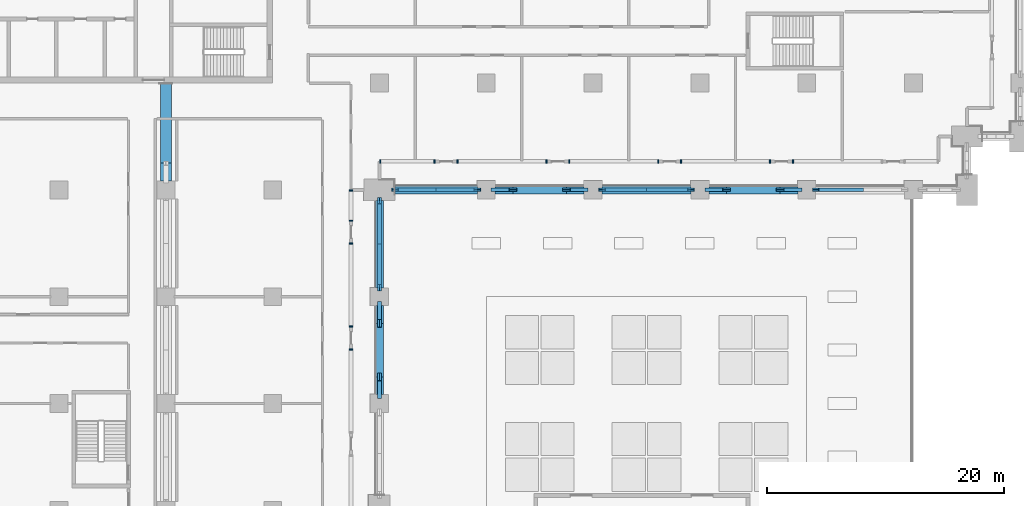
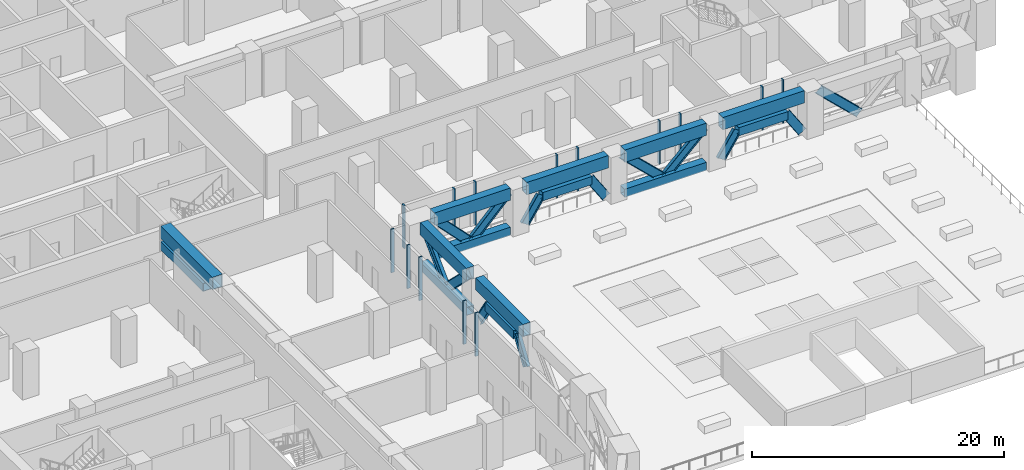
# One storey, part 3 of 31: 41 members.
"""IFC4 building model written with IfcOpenShell, lengths in metres."""

from ifc_helpers import new_model, si_unit, direction, frame, origin, origin_2d, place, context, subcontext, project, spatial, rectangle, hollow_rectangle, i_section, extrude, material, material_profile, profile_set, type_object, element, save


model = new_model("IFC4")

# Units and contexts
model_context = context("Model", 3, precision=1e-05, world=origin(), true_north=direction((0.0, 1.0)))
body_context = subcontext(model_context, "Body", "Model", "MODEL_VIEW")
ifc_project = project(units=[si_unit("LENGTHUNIT", "METRE"), si_unit("AREAUNIT", "SQUARE_METRE"), si_unit("VOLUMEUNIT", "CUBIC_METRE"), si_unit("PLANEANGLEUNIT", "RADIAN"), si_unit("MASSUNIT", "GRAM", prefix="KILO")], contexts=[model_context])

# Site, building, storey
site_placement = place(None, origin())
site = spatial("IfcSite", under=ifc_project, at=site_placement, CompositionType="ELEMENT")
building_placement = place(site_placement, origin())
building = spatial("IfcBuilding", under=site, at=building_placement, Name="Hunhe Ridgeline Campus", CompositionType="ELEMENT")
storey_placement = place(building_placement, frame((0.0, 0.0, 31.199951171875)))
storey = spatial("IfcBuildingStorey", under=building, at=storey_placement, Name="L06", CompositionType="ELEMENT", Elevation=31.199951171875)

# Members
ifc_material_1 = material(Name="Steel Q420", Category="steel")
ifc_material_profile_1 = material_profile(ifc_material_1, hollow_rectangle(XDim=0.699951171875, YDim=0.800048828125, WallThickness=0.0400390625, at=origin_2d()))
ifc_profile_set_1 = profile_set([ifc_material_profile_1], Name="Steel Q420")
member_type_1 = type_object("IfcMemberType", Name="Belt truss bottom chord Box 800x700x40 Steel Q420", PredefinedType="CHORD", material=ifc_profile_set_1)
member_1_placement = place(storey_placement, frame((45.0, 38.25, 2.699951171875), z_axis=(0.0, 1.0, 0.0), x_axis=(-1.0, 0.0, 0.0)))
element("IfcMember", 1, at=member_1_placement, inside=storey, type_object=member_type_1, Name="Belt truss BT1 bottom chord L06 38", PredefinedType="CHORD", context=body_context, shape_type="SweptSolid", body=[
    extrude(hollow_rectangle(XDim=0.699951171875, YDim=0.800048828125, WallThickness=0.0400390625, at=origin_2d()), origin(), (0.0, 0.0, 1.0), 4.5),
])
member_2_placement = place(storey_placement, frame((45.0, 45.75, 0.400146484375), z_axis=(0.0, 1.0, 0.0), x_axis=(-1.0, 0.0, 0.0)))
element("IfcMember", 2, at=member_2_placement, inside=storey, type_object=member_type_1, Name="Belt truss BT1 bottom chord L06 42", PredefinedType="CHORD", context=body_context, shape_type="SweptSolid", body=[
    extrude(hollow_rectangle(XDim=0.699951171875, YDim=0.800048828125, WallThickness=0.0400390625, at=origin_2d()), origin(), (0.0, 0.0, 1.0), 7.35009765625),
])
member_3_placement = place(storey_placement, frame((46.300048828125, 54.0, 0.400146484375), z_axis=(1.0, 0.0, 0.0), x_axis=(0.0, 1.0, 0.0)))
element("IfcMember", 3, at=member_3_placement, inside=storey, type_object=member_type_1, Name="Belt truss BT1 bottom chord L06 46", PredefinedType="CHORD", context=body_context, shape_type="SweptSolid", body=[
    extrude(hollow_rectangle(XDim=0.699951171875, YDim=0.800048828125, WallThickness=0.0400390625, at=origin_2d()), origin(), (0.0, 0.0, 1.0), 6.949951171875),
])
member_4_placement = place(storey_placement, frame((56.25, 54.0, 2.699951171875), z_axis=(1.0, 0.0, 0.0), x_axis=(0.0, 1.0, 0.0)))
element("IfcMember", 4, at=member_4_placement, inside=storey, type_object=member_type_1, Name="Belt truss BT1 bottom chord L06 50", PredefinedType="CHORD", context=body_context, shape_type="SweptSolid", body=[
    extrude(hollow_rectangle(XDim=0.699951171875, YDim=0.800048828125, WallThickness=0.0400390625, at=origin_2d()), origin(), (0.0, 0.0, 1.0), 4.5),
])
member_5_placement = place(storey_placement, frame((63.75, 54.0, 0.400146484375), z_axis=(1.0, 0.0, 0.0), x_axis=(0.0, 1.0, 0.0)))
element("IfcMember", 5, at=member_5_placement, inside=storey, type_object=member_type_1, Name="Belt truss BT1 bottom chord L06 54", PredefinedType="CHORD", context=body_context, shape_type="SweptSolid", body=[
    extrude(hollow_rectangle(XDim=0.699951171875, YDim=0.800048828125, WallThickness=0.0400390625, at=origin_2d()), origin(), (0.0, 0.0, 1.0), 7.5),
])
member_6_placement = place(storey_placement, frame((74.25, 54.0, 2.699951171875), z_axis=(1.0, 0.0, 0.0), x_axis=(0.0, 1.0, 0.0)))
element("IfcMember", 6, at=member_6_placement, inside=storey, type_object=member_type_1, Name="Belt truss BT1 bottom chord L06 58", PredefinedType="CHORD", context=body_context, shape_type="SweptSolid", body=[
    extrude(hollow_rectangle(XDim=0.699951171875, YDim=0.800048828125, WallThickness=0.0400390625, at=origin_2d()), origin(), (0.0, 0.0, 1.0), 4.5),
])
ifc_material_profile_2 = material_profile(ifc_material_1, i_section(OverallWidth=0.300048828125, OverallDepth=0.800048828125, WebThickness=0.013916015625, FlangeThickness=0.02587890625, FilletRadius=0.01806640625, at=origin_2d()))
ifc_profile_set_2 = profile_set([ifc_material_profile_2], Name="Steel Q420")
member_type_2 = type_object("IfcMemberType", Name="Belt truss diagonal HN800x300x14x26 Steel Q420", PredefinedType="BRACE", material=ifc_profile_set_2)
for number, where, z_axis, x_axis, name in (
    (7, (45.0, 36.75, 0.400146484375), (0.0, 0.546300327661, 0.837589369558), (-1.0, 0.0, 0.0), "Belt truss BT1 knee brace L06 39"),
    (8, (45.0, 42.75, 2.699951171875), (0.0, 0.546300327661, -0.837589369558), (-1.0, 0.0, 0.0), "Belt truss BT1 knee brace L06 40"),
):
    element("IfcMember", number, at=place(storey_placement, frame(where, z_axis=z_axis, x_axis=x_axis)), inside=storey, type_object=member_type_2, Name=name, PredefinedType="BRACE", context=body_context, shape_type="SweptSolid", body=[
        extrude(i_section(OverallWidth=0.300048828125, OverallDepth=0.800048828125, WebThickness=0.013916015625, FlangeThickness=0.02587890625, FilletRadius=0.01806640625, at=origin_2d()), origin(), (0.0, 0.0, 1.0), 2.745849609375),
    ])
for number, where, z_axis, x_axis, name in (
    (9, (45.0, 45.75, 4.0), (0.0, 0.714377463241, -0.699760559058), (-1.0, 0.0, 0.0), "Belt truss BT1 diagonal L06 43"),
    (10, (45.0, 49.425048828125, 0.400146484375), (0.0, 0.714377463241, 0.699760559058), (-1.0, 0.0, 0.0), "Belt truss BT1 diagonal L06 44"),
):
    element("IfcMember", number, at=place(storey_placement, frame(where, z_axis=z_axis, x_axis=x_axis)), inside=storey, type_object=member_type_2, Name=name, PredefinedType="BRACE", context=body_context, shape_type="SweptSolid", body=[
        extrude(i_section(OverallWidth=0.300048828125, OverallDepth=0.800048828125, WebThickness=0.013916015625, FlangeThickness=0.02587890625, FilletRadius=0.01806640625, at=origin_2d()), origin(), (0.0, 0.0, 1.0), 5.144287109375),
    ])
for number, where, z_axis, x_axis, name in (
    (11, (46.300048828125, 54.0, 4.0), (0.694504814863, 0.0, -0.719488055586), (0.0, 1.0, 0.0), "Belt truss BT1 diagonal L06 47"),
    (12, (49.77490234375, 54.0, 0.400146484375), (0.694530073152, 0.0, 0.719463673501), (0.0, 1.0, 0.0), "Belt truss BT1 diagonal L06 48"),
):
    element("IfcMember", number, at=place(storey_placement, frame(where, z_axis=z_axis, x_axis=x_axis)), inside=storey, type_object=member_type_2, Name=name, PredefinedType="BRACE", context=body_context, shape_type="SweptSolid", body=[
        extrude(i_section(OverallWidth=0.300048828125, OverallDepth=0.800048828125, WebThickness=0.013916015625, FlangeThickness=0.02587890625, FilletRadius=0.01806640625, at=origin_2d()), origin(), (0.0, 0.0, 1.0), 5.00341796875),
    ])
for number, where, z_axis, x_axis, name in (
    (13, (54.75, 54.0, 0.400146484375), (0.546300327661, 0.0, 0.837589369558), (0.0, 1.0, 0.0), "Belt truss BT1 knee brace L06 51"),
    (14, (60.75, 54.0, 2.699951171875), (0.546300327661, 0.0, -0.837589369558), (0.0, 1.0, 0.0), "Belt truss BT1 knee brace L06 52"),
):
    element("IfcMember", number, at=place(storey_placement, frame(where, z_axis=z_axis, x_axis=x_axis)), inside=storey, type_object=member_type_2, Name=name, PredefinedType="BRACE", context=body_context, shape_type="SweptSolid", body=[
        extrude(i_section(OverallWidth=0.300048828125, OverallDepth=0.800048828125, WebThickness=0.013916015625, FlangeThickness=0.02587890625, FilletRadius=0.01806640625, at=origin_2d()), origin(), (0.0, 0.0, 1.0), 2.745849609375),
    ])
for number, where, z_axis, x_axis, name in (
    (15, (63.75, 54.0, 4.0), (0.721401399021, 0.0, -0.692517163318), (0.0, 1.0, 0.0), "Belt truss BT1 diagonal L06 55"),
    (16, (67.5, 54.0, 0.400146484375), (0.721401399021, 0.0, 0.692517163318), (0.0, 1.0, 0.0), "Belt truss BT1 diagonal L06 56"),
):
    element("IfcMember", number, at=place(storey_placement, frame(where, z_axis=z_axis, x_axis=x_axis)), inside=storey, type_object=member_type_2, Name=name, PredefinedType="BRACE", context=body_context, shape_type="SweptSolid", body=[
        extrude(i_section(OverallWidth=0.300048828125, OverallDepth=0.800048828125, WebThickness=0.013916015625, FlangeThickness=0.02587890625, FilletRadius=0.01806640625, at=origin_2d()), origin(), (0.0, 0.0, 1.0), 5.1982421875),
    ])
for number, where, z_axis, x_axis, name in (
    (17, (72.75, 54.0, 0.400146484375), (0.546300327661, 0.0, 0.837589369558), (0.0, 1.0, 0.0), "Belt truss BT1 knee brace L06 59"),
    (18, (78.75, 54.0, 2.699951171875), (0.546300327661, 0.0, -0.837589369558), (0.0, 1.0, 0.0), "Belt truss BT1 knee brace L06 60"),
):
    element("IfcMember", number, at=place(storey_placement, frame(where, z_axis=z_axis, x_axis=x_axis)), inside=storey, type_object=member_type_2, Name=name, PredefinedType="BRACE", context=body_context, shape_type="SweptSolid", body=[
        extrude(i_section(OverallWidth=0.300048828125, OverallDepth=0.800048828125, WebThickness=0.013916015625, FlangeThickness=0.02587890625, FilletRadius=0.01806640625, at=origin_2d()), origin(), (0.0, 0.0, 1.0), 2.745849609375),
    ])
member_7_placement = place(storey_placement, frame((81.75, 54.0, 4.0), z_axis=(0.721401399021, 0.0, -0.692517163318), x_axis=(0.0, 1.0, 0.0)))
element("IfcMember", 19, at=member_7_placement, inside=storey, type_object=member_type_2, Name="Belt truss BT1 diagonal L06 63", PredefinedType="BRACE", context=body_context, shape_type="SweptSolid", body=[
    extrude(i_section(OverallWidth=0.300048828125, OverallDepth=0.800048828125, WebThickness=0.013916015625, FlangeThickness=0.02587890625, FilletRadius=0.01806640625, at=origin_2d()), origin(), (0.0, 0.0, 1.0), 5.1982421875),
])
ifc_material_profile_3 = material_profile(ifc_material_1, hollow_rectangle(XDim=0.699951171875, YDim=1.199951171875, WallThickness=0.0400390625, at=origin_2d()))
ifc_profile_set_3 = profile_set([ifc_material_profile_3], Name="Steel Q420")
member_type_3 = type_object("IfcMemberType", Name="Belt truss top chord Box 1200x700x40 Steel Q420", PredefinedType="CHORD", material=ifc_profile_set_3)
member_8_placement = place(storey_placement, frame((45.0, 36.75, 4.0), z_axis=(0.0, 1.0, 0.0), x_axis=(-1.0, 0.0, 0.0)))
element("IfcMember", 20, at=member_8_placement, inside=storey, type_object=member_type_3, Name="Belt truss BT1 top chord L06 37", PredefinedType="CHORD", context=body_context, shape_type="SweptSolid", body=[
    extrude(hollow_rectangle(XDim=0.699951171875, YDim=1.199951171875, WallThickness=0.0400390625, at=origin_2d()), origin(), (0.0, 0.0, 1.0), 7.5),
])
member_9_placement = place(storey_placement, frame((45.0, 45.75, 4.0), z_axis=(0.0, 1.0, 0.0), x_axis=(-1.0, 0.0, 0.0)))
element("IfcMember", 21, at=member_9_placement, inside=storey, type_object=member_type_3, Name="Belt truss BT1 top chord L06 41", PredefinedType="CHORD", context=body_context, shape_type="SweptSolid", body=[
    extrude(hollow_rectangle(XDim=0.699951171875, YDim=1.199951171875, WallThickness=0.0400390625, at=origin_2d()), origin(), (0.0, 0.0, 1.0), 7.35009765625),
])
member_10_placement = place(storey_placement, frame((46.300048828125, 54.0, 4.0), z_axis=(1.0, 0.0, 0.0), x_axis=(0.0, 1.0, 0.0)))
element("IfcMember", 22, at=member_10_placement, inside=storey, type_object=member_type_3, Name="Belt truss BT1 top chord L06 45", PredefinedType="CHORD", context=body_context, shape_type="SweptSolid", body=[
    extrude(hollow_rectangle(XDim=0.699951171875, YDim=1.199951171875, WallThickness=0.0400390625, at=origin_2d()), origin(), (0.0, 0.0, 1.0), 6.949951171875),
])
for number, where, z_axis, x_axis, name in (
    (23, (54.75, 54.0, 4.0), (1.0, 0.0, 0.0), (0.0, 1.0, 0.0), "Belt truss BT1 top chord L06 49"),
    (24, (63.75, 54.0, 4.0), (1.0, 0.0, 0.0), (0.0, 1.0, 0.0), "Belt truss BT1 top chord L06 53"),
    (25, (72.75, 54.0, 4.0), (1.0, 0.0, 0.0), (0.0, 1.0, 0.0), "Belt truss BT1 top chord L06 57"),
):
    element("IfcMember", number, at=place(storey_placement, frame(where, z_axis=z_axis, x_axis=x_axis)), inside=storey, type_object=member_type_3, Name=name, PredefinedType="CHORD", context=body_context, shape_type="SweptSolid", body=[
        extrude(hollow_rectangle(XDim=0.699951171875, YDim=1.199951171875, WallThickness=0.0400390625, at=origin_2d()), origin(), (0.0, 0.0, 1.0), 7.5),
    ])
ifc_material_2 = material(Name="Aluminium 6063", Category="aluminium")
ifc_material_profile_4 = material_profile(ifc_material_2, rectangle(XDim=0.300048828125, YDim=0.1201171875, at=origin_2d()))
ifc_profile_set_4 = profile_set([ifc_material_profile_4], Name="Aluminium 6063")
member_type_4 = type_object("IfcMemberType", Name="Louvre frame jamb 120x300 Aluminium 6063", PredefinedType="USERDEFINED", material=ifc_profile_set_4)
for number, where, z_axis, x_axis, name in (
    (26, (42.59912109375, 40.558349609375, 0.0), (0.0, 0.0, 1.0), (-1.0, 1.40429e-07, 0.0), "Louvre frame jamb 18b"),
    (27, (42.59912109375, 42.478271484375, 0.0), (0.0, 0.0, 1.0), (-1.0, 1.40429e-07, 0.0), "Louvre frame jamb 19a"),
    (28, (42.59912109375, 49.4794921875, 0.0), (0.0, 0.0, 1.0), (-1.0, 1.40429e-07, 0.0), "Louvre frame jamb 19b"),
    (29, (42.59912109375, 51.3994140625, 0.0), (0.0, 0.0, 1.0), (-1.0, 0.0, 0.0), "Louvre frame jamb 20a"),
    (30, (42.59912109375, 53.940185546875, 0.0), (0.0, 0.0, 1.0), (-1.0, 0.0, 0.0), "Louvre frame jamb 20b"),
    (31, (45.059326171875, 56.40087890625, 0.0), (0.0, 0.0, 1.0), (-3.609376e-06, 0.999999999993, 0.0), "Louvre frame jamb 21a"),
    (32, (49.6494140625, 56.40087890625, 0.0), (0.0, 0.0, 1.0), (-3.609376e-06, 0.999999999993, 0.0), "Louvre frame jamb 21b"),
    (33, (51.5693359375, 56.40087890625, 0.0), (0.0, 0.0, 1.0), (-3.674581e-06, 0.999999999993, 0.0), "Louvre frame jamb 22a"),
    (34, (59.0693359375, 56.40087890625, 0.0), (0.0, 0.0, 1.0), (-3.674581e-06, 0.999999999993, 0.0), "Louvre frame jamb 22b"),
    (35, (60.9892578125, 56.40087890625, 0.0), (0.0, 0.0, 1.0), (-3.54335e-06, 0.999999999994, 0.0), "Louvre frame jamb 23a"),
    (36, (68.4892578125, 56.40087890625, 0.0), (0.0, 0.0, 1.0), (-3.54335e-06, 0.999999999994, 0.0), "Louvre frame jamb 23b"),
    (37, (70.4091796875, 56.40087890625, 0.0), (0.0, 0.0, 1.0), (-3.54335e-06, 0.999999999994, 0.0), "Louvre frame jamb 24a"),
    (38, (77.9091796875, 56.40087890625, 0.0), (0.0, 0.0, 1.0), (-3.54335e-06, 0.999999999994, 0.0), "Louvre frame jamb 24b"),
    (39, (79.8291015625, 56.40087890625, 0.0), (0.0, 0.0, 1.0), (-3.54335e-06, 0.999999999994, 0.0), "Louvre frame jamb 25a"),
):
    element("IfcMember", number, at=place(storey_placement, frame(where, z_axis=z_axis, x_axis=x_axis)), inside=storey, type_object=member_type_4, Name=name, ObjectType="LOUVRE FRAME", PredefinedType="USERDEFINED", context=body_context, shape_type="SweptSolid", body=[
        extrude(rectangle(XDim=0.300048828125, YDim=0.1201171875, at=origin_2d()), origin(), (0.0, 0.0, 1.0), 4.199951171875),
    ])
ifc_material_profile_5 = material_profile(ifc_material_1, hollow_rectangle(XDim=0.89990234375, YDim=0.800048828125, WallThickness=0.050048828125, at=origin_2d()))
ifc_profile_set_5 = profile_set([ifc_material_profile_5], Name="Steel Q420")
member_type_5 = type_object("IfcMemberType", Name="Outrigger truss bottom chord Box 800x900x50 Steel Q420", PredefinedType="CHORD", material=ifc_profile_set_5)
member_11_placement = place(storey_placement, frame((27.0, 63.0, 2.699951171875), z_axis=(0.0, -1.0, 0.0), x_axis=(1.0, 0.0, 0.0)))
element("IfcMember", 40, at=member_11_placement, inside=storey, type_object=member_type_5, Name="Outrigger truss OR2 bottom chord L06 2", PredefinedType="CHORD", context=body_context, shape_type="SweptSolid", body=[
    extrude(hollow_rectangle(XDim=0.89990234375, YDim=0.800048828125, WallThickness=0.050048828125, at=origin_2d()), origin(), (0.0, 0.0, 1.0), 6.75),
])
ifc_material_profile_6 = material_profile(ifc_material_1, hollow_rectangle(XDim=0.89990234375, YDim=1.199951171875, WallThickness=0.050048828125, at=origin_2d()))
ifc_profile_set_6 = profile_set([ifc_material_profile_6], Name="Steel Q420")
member_type_6 = type_object("IfcMemberType", Name="Outrigger truss top chord Box 1200x900x50 Steel Q420", PredefinedType="CHORD", material=ifc_profile_set_6)
member_12_placement = place(storey_placement, frame((27.0, 63.0, 4.0), z_axis=(0.0, -1.0, 0.0), x_axis=(1.0, 0.0, 0.0)))
element("IfcMember", 41, at=member_12_placement, inside=storey, type_object=member_type_6, Name="Outrigger truss OR2 top chord L06 1", PredefinedType="CHORD", context=body_context, shape_type="SweptSolid", body=[
    extrude(hollow_rectangle(XDim=0.89990234375, YDim=1.199951171875, WallThickness=0.050048828125, at=origin_2d()), origin(), (0.0, 0.0, 1.0), 8.25),
])

save(model, "model.ifc")
